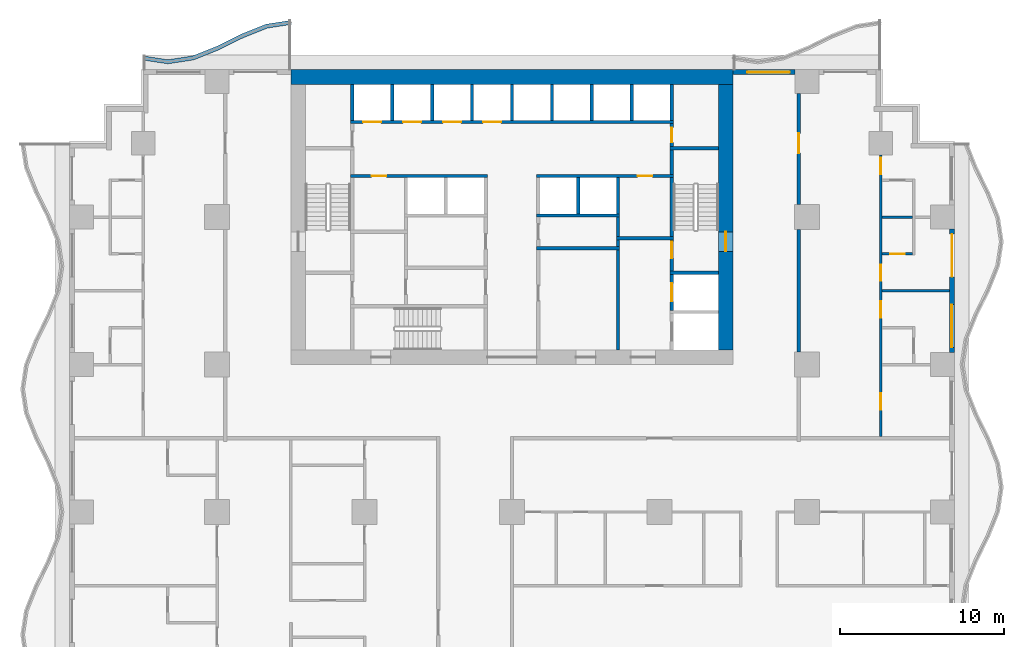
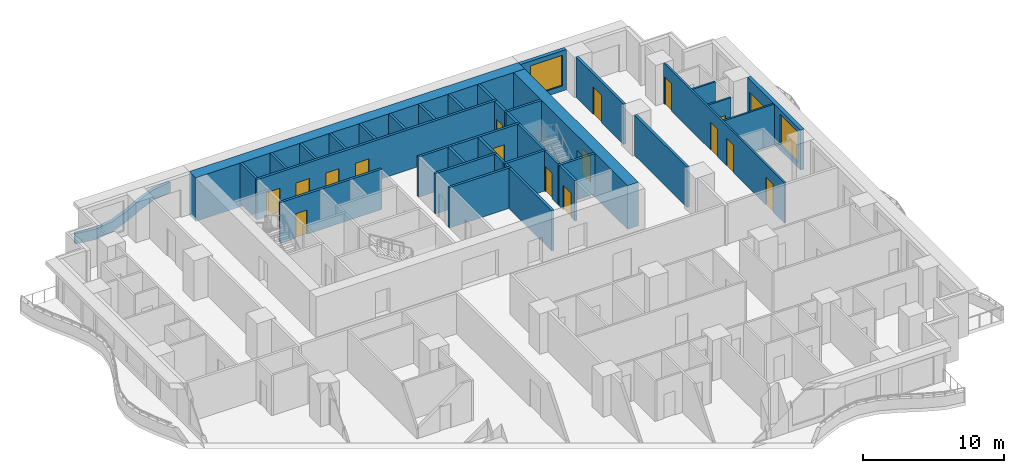
# One storey, part 6 of 14: 38 walls, 17 doors, 2 windows, 19 openings.
"""IFC4 building model written with IfcOpenShell, lengths in metres."""

from ifc_helpers import new_model, si_unit, direction, frame, frame_2d, origin, place, context, subcontext, project, spatial, polyline, rectangle, outline, extrude, material, layer, layer_set, type_object, element, fill, save


model = new_model("IFC4")

# Units and contexts
model_context = context("Model", 3, precision=1e-05, world=origin(), true_north=direction((0.0, 1.0)))
body_context = subcontext(model_context, "Body", "Model", "MODEL_VIEW")
ifc_project = project(units=[si_unit("LENGTHUNIT", "METRE"), si_unit("AREAUNIT", "SQUARE_METRE"), si_unit("VOLUMEUNIT", "CUBIC_METRE"), si_unit("PLANEANGLEUNIT", "RADIAN"), si_unit("MASSUNIT", "GRAM", prefix="KILO")], contexts=[model_context])

# Site, building, storey
site_placement = place(None, origin())
site = spatial("IfcSite", under=ifc_project, at=site_placement, CompositionType="ELEMENT")
building_placement = place(site_placement, origin())
building = spatial("IfcBuilding", under=site, at=building_placement, Name="Orbiselva Terraces", CompositionType="ELEMENT")
storey_placement = place(building_placement, frame((0.0, 0.0, 22.6)))
storey = spatial("IfcBuildingStorey", under=building, at=storey_placement, Name="L05", CompositionType="ELEMENT", Elevation=22.6)

# Wall, opening, door
ifc_material_1 = material(Name="Concrete C80/95", Category="concrete")
ifc_layer_1 = layer(ifc_material_1, 0.9)
ifc_layer_set_1 = layer_set([ifc_layer_1], Name="Concrete C80/95")
wall_type_1 = type_object("IfcWallType", Name="CORE WALL 900", PredefinedType="SHEAR", material=ifc_layer_set_1)
wall_1_placement = place(storey_placement, frame((13.05, 5.4, -0.3), z_axis=(0.0, 0.0, 1.0), x_axis=(0.0, 1.0, 0.0)))
wall_1 = element("IfcWall", 1, at=wall_1_placement, inside=storey, type_object=wall_type_1, Name="Core wall L05 east", PredefinedType="SHEAR", context=body_context, shape_type="SweptSolid", body=[
    extrude(rectangle(XDim=16.2, YDim=0.9, at=frame_2d((8.1, 0.0))), origin(), (0.0, 0.0, 1.0), 3.8),
])
opening_1_placement = place(wall_1_placement, frame((6.0, 0.0, 0.3)))
opening_1 = element("IfcOpeningElement", 2, at=opening_1_placement, cuts=wall_1, Name="Opening DS1200", PredefinedType="OPENING", context=body_context, shape_type="SweptSolid", body=[
    extrude(rectangle(XDim=1.2, YDim=2.2, at=frame_2d((0.6, 1.1))), frame((0.0, 0.46, 0.0), z_axis=(0.0, -1.0, 0.0), x_axis=(1.0, 0.0, 0.0)), (0.0, 0.0, 1.0), 0.92),
])
ifc_material_2 = material(Name="Steel fire door", Category="steel")
door_type_1 = type_object("IfcDoorType", Name="STAIR DOOR 1200", OperationType="NOTDEFINED", PredefinedType="DOOR", material=ifc_material_2)
door_1_placement = place(opening_1_placement, frame((1.2, 0.0, 0.0), z_axis=(0.0, 0.0, 1.0), x_axis=(-1.0, 0.0, 0.0)))
door_1 = element("IfcDoor", 3, at=door_1_placement, inside=storey, type_object=door_type_1, Name="L05 EXIT STAIR S2 door", OperationType="SINGLE_SWING_LEFT", OverallHeight=2.2, OverallWidth=1.2, PredefinedType="DOOR", context=body_context, shape_type="SweptSolid", body=[
    extrude(rectangle(XDim=1.2, YDim=2.2, at=frame_2d((0.6, 1.1))), frame((0.0, 0.025, 0.0), z_axis=(0.0, -1.0, 0.0), x_axis=(1.0, 0.0, 0.0)), (0.0, 0.0, 1.0), 0.05),
])
fill(opening_1, door_1)

# Walls
ifc_layer_2 = layer(ifc_material_1, 0.9)
ifc_layer_set_2 = layer_set([ifc_layer_2], Name="Concrete C80/95")
wall_type_2 = type_object("IfcWallType", Name="CORE WALL 900 EXTERNAL", PredefinedType="SHEAR", material=ifc_layer_set_2)
wall_2_placement = place(storey_placement, frame((13.5, 22.05, -0.3), z_axis=(0.0, 0.0, 1.0), x_axis=(-1.0, 0.0, 0.0)))
element("IfcWall", 4, at=wall_2_placement, inside=storey, type_object=wall_type_2, Name="Core wall L05 north", PredefinedType="SHEAR", context=body_context, shape_type="SweptSolid", body=[
    extrude(rectangle(XDim=27.0, YDim=0.9, at=frame_2d((13.5, 0.0))), origin(), (0.0, 0.0, 1.0), 3.8),
])
ifc_material_3 = material(Name="Masonry blockwork", Category="masonry")
ifc_layer_3 = layer(ifc_material_3, 0.2)
ifc_layer_set_3 = layer_set([ifc_layer_3], Name="Masonry blockwork")
wall_type_3 = type_object("IfcWallType", Name="CORE-WALL-PARTITION-200", PredefinedType="PARTITIONING", material=ifc_layer_set_3)
wall_3_placement = place(storey_placement, frame((6.475, 12.3, 0.0), z_axis=(0.0, 0.0, 1.0), x_axis=(0.0, 1.0, 0.0)))
element("IfcWall", 5, at=wall_3_placement, inside=storey, type_object=wall_type_3, Name="L05 core wall 41", PredefinedType="PARTITIONING", context=body_context, shape_type="SweptSolid", body=[
    extrude(rectangle(XDim=1.2, YDim=0.2, at=frame_2d((0.6, 0.0))), origin(), (0.0, 0.0, 1.0), 3.5),
])

# Wall, opening, door
wall_4_placement = place(storey_placement, frame((9.75, 19.2, 0.0), z_axis=(0.0, 0.0, 1.0), x_axis=(0.0, -1.0, 0.0)))
wall_4 = element("IfcWall", 6, at=wall_4_placement, inside=storey, type_object=wall_type_3, Name="L05 core wall 52", PredefinedType="PARTITIONING", context=body_context, shape_type="SweptSolid", body=[
    extrude(rectangle(XDim=1.4, YDim=0.2, at=frame_2d((0.7, 0.0))), origin(), (0.0, 0.0, 1.0), 3.5),
])
opening_2_placement = place(wall_4_placement, frame((0.25, 0.0, 0.0)))
opening_2 = element("IfcOpeningElement", 7, at=opening_2_placement, cuts=wall_4, Name="Opening DR900", PredefinedType="OPENING", context=body_context, shape_type="SweptSolid", body=[
    extrude(rectangle(XDim=0.9, YDim=2.1, at=frame_2d((0.45, 1.05))), frame((0.0, 0.11, 0.0), z_axis=(0.0, -1.0, 0.0), x_axis=(1.0, 0.0, 0.0)), (0.0, 0.0, 1.0), 0.22),
])
door_type_2 = type_object("IfcDoorType", Name="ROOM DOOR 900", OperationType="NOTDEFINED", PredefinedType="DOOR", material=ifc_material_2)
door_2_placement = place(opening_2_placement, origin())
door_2 = element("IfcDoor", 8, at=door_2_placement, inside=storey, type_object=door_type_2, Name="L05 COMMS RISER ROOM door", OperationType="SINGLE_SWING_RIGHT", OverallHeight=2.1, OverallWidth=0.9, PredefinedType="DOOR", context=body_context, shape_type="SweptSolid", body=[
    extrude(rectangle(XDim=0.9, YDim=2.1, at=frame_2d((0.45, 1.05))), frame((0.0, 0.025, 0.0), z_axis=(0.0, -1.0, 0.0), x_axis=(1.0, 0.0, 0.0)), (0.0, 0.0, 1.0), 0.05),
])
fill(opening_2, door_2)

# Walls
ifc_material_4 = material(Name="Concrete C40/50", Category="concrete")
ifc_layer_4 = layer(ifc_material_4, 0.2)
ifc_layer_set_4 = layer_set([ifc_layer_4], Name="Concrete C40/50")
wall_type_4 = type_object("IfcWallType", Name="CORE-WALL-SHAFT-200", PredefinedType="PARTITIONING", material=ifc_layer_set_4)
for number, where, z_axis, x_axis, name in (
    (9, (-9.75, 19.4, 0.0), (0.0, 0.0, 1.0), (0.0, 1.0, 0.0), "L05 core wall 13"),
    (10, (-7.3125, 19.4, 0.0), (0.0, 0.0, 1.0), (0.0, 1.0, 0.0), "L05 core wall 14"),
    (11, (-4.875, 19.4, 0.0), (0.0, 0.0, 1.0), (0.0, 1.0, 0.0), "L05 core wall 21"),
    (12, (-2.4375, 19.4, 0.0), (0.0, 0.0, 1.0), (0.0, 1.0, 0.0), "L05 core wall 23"),
    (13, (0.0, 19.4, 0.0), (0.0, 0.0, 1.0), (0.0, 1.0, 0.0), "L05 core wall 28"),
    (14, (2.4375, 19.4, 0.0), (0.0, 0.0, 1.0), (0.0, 1.0, 0.0), "L05 core wall 35"),
    (15, (4.0375, 13.7, 0.0), (0.0, 0.0, 1.0), (0.0, 1.0, 0.0), "L05 core wall 36"),
    (16, (4.875, 19.4, 0.0), (0.0, 0.0, 1.0), (0.0, 1.0, 0.0), "L05 core wall 37"),
    (17, (6.475, 13.7, 0.0), (0.0, 0.0, 1.0), (0.0, 1.0, 0.0), "L05 core wall 42"),
    (18, (7.3125, 19.4, 0.0), (0.0, 0.0, 1.0), (0.0, 1.0, 0.0), "L05 core wall 43"),
    (19, (9.75, 19.4, 0.0), (0.0, 0.0, 1.0), (0.0, 1.0, 0.0), "L05 core wall 53"),
):
    element("IfcWall", number, at=place(storey_placement, frame(where, z_axis=z_axis, x_axis=x_axis)), inside=storey, type_object=wall_type_4, Name=name, PredefinedType="PARTITIONING", context=body_context, shape_type="SweptSolid", body=[
        extrude(rectangle(XDim=2.2, YDim=0.2, at=frame_2d((1.1, 0.0))), origin(), (0.0, 0.0, 1.0), 3.5),
    ])

# Wall, opening, door
ifc_material_5 = material(Name="Concrete C60/75", Category="concrete")
ifc_layer_5 = layer(ifc_material_5, 0.2)
ifc_layer_set_5 = layer_set([ifc_layer_5], Name="Concrete C60/75")
wall_type_5 = type_object("IfcWallType", Name="CORE-WALL-SHEAR-200", PredefinedType="SHEAR", material=ifc_layer_set_5)
wall_5_placement = place(storey_placement, frame((-1.5, 16.0, 0.0), z_axis=(0.0, 0.0, 1.0), x_axis=(-1.0, 0.0, 0.0)))
wall_5 = element("IfcWall", 20, at=wall_5_placement, inside=storey, type_object=wall_type_5, Name="L05 core wall 09", PredefinedType="SHEAR", context=body_context, shape_type="SweptSolid", body=[
    extrude(rectangle(XDim=8.35, YDim=0.2, at=frame_2d((4.175, 0.0))), origin(), (0.0, 0.0, 1.0), 3.5),
])
opening_3_placement = place(wall_5_placement, frame((6.1625, 0.0, 0.0)))
opening_3 = element("IfcOpeningElement", 21, at=opening_3_placement, cuts=wall_5, Name="Opening DR900", PredefinedType="OPENING", context=body_context, shape_type="SweptSolid", body=[
    extrude(rectangle(XDim=0.9, YDim=2.1, at=frame_2d((0.45, 1.05))), frame((0.0, 0.11, 0.0), z_axis=(0.0, -1.0, 0.0), x_axis=(1.0, 0.0, 0.0)), (0.0, 0.0, 1.0), 0.22),
])
door_3_placement = place(opening_3_placement, origin())
door_3 = element("IfcDoor", 22, at=door_3_placement, inside=storey, type_object=door_type_2, Name="L05 IT ROOM door", OperationType="SINGLE_SWING_RIGHT", OverallHeight=2.1, OverallWidth=0.9, PredefinedType="DOOR", context=body_context, shape_type="SweptSolid", body=[
    extrude(rectangle(XDim=0.9, YDim=2.1, at=frame_2d((0.45, 1.05))), frame((0.0, 0.025, 0.0), z_axis=(0.0, -1.0, 0.0), x_axis=(1.0, 0.0, 0.0)), (0.0, 0.0, 1.0), 0.05),
])
fill(opening_3, door_3)

# Wall, openings, doors
wall_6_placement = place(storey_placement, frame((-9.85, 19.3, 0.0), z_axis=(0.0, 0.0, 1.0), x_axis=(1.0, 0.0, 0.0)))
wall_6 = element("IfcWall", 23, at=wall_6_placement, inside=storey, type_object=wall_type_5, Name="L05 core wall 12", PredefinedType="SHEAR", context=body_context, shape_type="SweptSolid", body=[
    extrude(rectangle(XDim=19.7, YDim=0.2, at=frame_2d((9.85, 0.0))), origin(), (0.0, 0.0, 1.0), 3.5),
])
opening_4_placement = place(wall_6_placement, frame((0.76875, 0.0, 0.0)))
opening_4 = element("IfcOpeningElement", 24, at=opening_4_placement, cuts=wall_6, Name="Opening LD-LR1", PredefinedType="OPENING", context=body_context, shape_type="SweptSolid", body=[
    extrude(rectangle(XDim=1.1, YDim=2.1, at=frame_2d((0.55, 1.05))), frame((0.0, 0.11, 0.0), z_axis=(0.0, -1.0, 0.0), x_axis=(1.0, 0.0, 0.0)), (0.0, 0.0, 1.0), 0.22),
])
opening_5_placement = place(wall_6_placement, frame((3.20625, 0.0, 0.0)))
opening_5 = element("IfcOpeningElement", 25, at=opening_5_placement, cuts=wall_6, Name="Opening LD-LR2", PredefinedType="OPENING", context=body_context, shape_type="SweptSolid", body=[
    extrude(rectangle(XDim=1.1, YDim=2.1, at=frame_2d((0.55, 1.05))), frame((0.0, 0.11, 0.0), z_axis=(0.0, -1.0, 0.0), x_axis=(1.0, 0.0, 0.0)), (0.0, 0.0, 1.0), 0.22),
])
opening_6_placement = place(wall_6_placement, frame((5.64375, 0.0, 0.0)))
opening_6 = element("IfcOpeningElement", 26, at=opening_6_placement, cuts=wall_6, Name="Opening LD-LR3", PredefinedType="OPENING", context=body_context, shape_type="SweptSolid", body=[
    extrude(rectangle(XDim=1.1, YDim=2.1, at=frame_2d((0.55, 1.05))), frame((0.0, 0.11, 0.0), z_axis=(0.0, -1.0, 0.0), x_axis=(1.0, 0.0, 0.0)), (0.0, 0.0, 1.0), 0.22),
])
opening_7_placement = place(wall_6_placement, frame((8.08125, 0.0, 0.0)))
opening_7 = element("IfcOpeningElement", 27, at=opening_7_placement, cuts=wall_6, Name="Opening LD-LR4", PredefinedType="OPENING", context=body_context, shape_type="SweptSolid", body=[
    extrude(rectangle(XDim=1.1, YDim=2.1, at=frame_2d((0.55, 1.05))), frame((0.0, 0.11, 0.0), z_axis=(0.0, -1.0, 0.0), x_axis=(1.0, 0.0, 0.0)), (0.0, 0.0, 1.0), 0.22),
])
ifc_material_6 = material(Name="Stainless steel landing door", Category="steel")
door_type_3 = type_object("IfcDoorType", Name="LANDING DOOR 1100", OperationType="SLIDING_TO_LEFT", PredefinedType="DOOR", material=ifc_material_6)
door_4_placement = place(opening_4_placement, origin())
door_4 = element("IfcDoor", 28, at=door_4_placement, inside=storey, type_object=door_type_3, Name="L05 landing door LR1", OperationType="SLIDING_TO_LEFT", OverallHeight=2.1, OverallWidth=1.1, PredefinedType="DOOR", context=body_context, shape_type="SweptSolid", body=[
    extrude(rectangle(XDim=1.1, YDim=2.1, at=frame_2d((0.55, 1.05))), frame((0.0, 0.025, 0.0), z_axis=(0.0, -1.0, 0.0), x_axis=(1.0, 0.0, 0.0)), (0.0, 0.0, 1.0), 0.05),
])
fill(opening_4, door_4)
door_5_placement = place(opening_5_placement, origin())
door_5 = element("IfcDoor", 29, at=door_5_placement, inside=storey, type_object=door_type_3, Name="L05 landing door LR2", OperationType="SLIDING_TO_LEFT", OverallHeight=2.1, OverallWidth=1.1, PredefinedType="DOOR", context=body_context, shape_type="SweptSolid", body=[
    extrude(rectangle(XDim=1.1, YDim=2.1, at=frame_2d((0.55, 1.05))), frame((0.0, 0.025, 0.0), z_axis=(0.0, -1.0, 0.0), x_axis=(1.0, 0.0, 0.0)), (0.0, 0.0, 1.0), 0.05),
])
fill(opening_5, door_5)
door_6_placement = place(opening_6_placement, origin())
door_6 = element("IfcDoor", 30, at=door_6_placement, inside=storey, type_object=door_type_3, Name="L05 landing door LR3", OperationType="SLIDING_TO_LEFT", OverallHeight=2.1, OverallWidth=1.1, PredefinedType="DOOR", context=body_context, shape_type="SweptSolid", body=[
    extrude(rectangle(XDim=1.1, YDim=2.1, at=frame_2d((0.55, 1.05))), frame((0.0, 0.025, 0.0), z_axis=(0.0, -1.0, 0.0), x_axis=(1.0, 0.0, 0.0)), (0.0, 0.0, 1.0), 0.05),
])
fill(opening_6, door_6)
door_7_placement = place(opening_7_placement, origin())
door_7 = element("IfcDoor", 31, at=door_7_placement, inside=storey, type_object=door_type_3, Name="L05 landing door LR4", OperationType="SLIDING_TO_LEFT", OverallHeight=2.1, OverallWidth=1.1, PredefinedType="DOOR", context=body_context, shape_type="SweptSolid", body=[
    extrude(rectangle(XDim=1.1, YDim=2.1, at=frame_2d((0.55, 1.05))), frame((0.0, 0.025, 0.0), z_axis=(0.0, -1.0, 0.0), x_axis=(1.0, 0.0, 0.0)), (0.0, 0.0, 1.0), 0.05),
])
fill(opening_7, door_7)

# Walls
for number, where, z_axis, x_axis, name in (
    (32, (1.5, 11.6, 0.0), (0.0, 0.0, 1.0), (1.0, 0.0, 0.0), "L05 core wall 30"),
    (33, (1.5, 13.6, 0.0), (0.0, 0.0, 1.0), (1.0, 0.0, 0.0), "L05 core wall 32"),
):
    element("IfcWall", number, at=place(storey_placement, frame(where, z_axis=z_axis, x_axis=x_axis)), inside=storey, type_object=wall_type_5, Name=name, PredefinedType="SHEAR", context=body_context, shape_type="SweptSolid", body=[
        extrude(rectangle(XDim=5.075, YDim=0.2, at=frame_2d((2.5375, 0.0))), origin(), (0.0, 0.0, 1.0), 3.5),
    ])

# Wall, opening, door
wall_7_placement = place(storey_placement, frame((9.85, 16.0, 0.0), z_axis=(0.0, 0.0, 1.0), x_axis=(-1.0, 0.0, 0.0)))
wall_7 = element("IfcWall", 34, at=wall_7_placement, inside=storey, type_object=wall_type_5, Name="L05 core wall 34", PredefinedType="SHEAR", context=body_context, shape_type="SweptSolid", body=[
    extrude(rectangle(XDim=8.35, YDim=0.2, at=frame_2d((4.175, 0.0))), origin(), (0.0, 0.0, 1.0), 3.5),
])
opening_8_placement = place(wall_7_placement, frame((1.2875, 0.0, 0.0)))
opening_8 = element("IfcOpeningElement", 35, at=opening_8_placement, cuts=wall_7, Name="Opening DR900", PredefinedType="OPENING", context=body_context, shape_type="SweptSolid", body=[
    extrude(rectangle(XDim=0.9, YDim=2.1, at=frame_2d((0.45, 1.05))), frame((0.0, 0.11, 0.0), z_axis=(0.0, -1.0, 0.0), x_axis=(1.0, 0.0, 0.0)), (0.0, 0.0, 1.0), 0.22),
])
door_8_placement = place(opening_8_placement, origin())
door_8 = element("IfcDoor", 36, at=door_8_placement, inside=storey, type_object=door_type_2, Name="L05 PIPE RISER ROOM door", OperationType="SINGLE_SWING_LEFT", OverallHeight=2.1, OverallWidth=0.9, PredefinedType="DOOR", context=body_context, shape_type="SweptSolid", body=[
    extrude(rectangle(XDim=0.9, YDim=2.1, at=frame_2d((0.45, 1.05))), frame((0.0, 0.025, 0.0), z_axis=(0.0, -1.0, 0.0), x_axis=(1.0, 0.0, 0.0)), (0.0, 0.0, 1.0), 0.05),
])
fill(opening_8, door_8)

# Walls
wall_8_placement = place(storey_placement, frame((6.475, 5.4, 0.0), z_axis=(0.0, 0.0, 1.0), x_axis=(0.0, 1.0, 0.0)))
element("IfcWall", 37, at=wall_8_placement, inside=storey, type_object=wall_type_5, Name="L05 core wall 38", PredefinedType="SHEAR", context=body_context, shape_type="SweptSolid", body=[
    extrude(rectangle(XDim=6.1, YDim=0.2, at=frame_2d((3.05, 0.0))), origin(), (0.0, 0.0, 1.0), 3.5),
])
wall_9_placement = place(storey_placement, frame((6.475, 11.7, 0.0), z_axis=(0.0, 0.0, 1.0), x_axis=(0.0, 1.0, 0.0)))
element("IfcWall", 38, at=wall_9_placement, inside=storey, type_object=wall_type_5, Name="L05 core wall 39", PredefinedType="SHEAR", context=body_context, shape_type="SweptSolid", body=[
    extrude(rectangle(XDim=0.4, YDim=0.2, at=frame_2d((0.2, 0.0))), origin(), (0.0, 0.0, 1.0), 3.5),
])
wall_10_placement = place(storey_placement, frame((6.375, 12.2, 0.0), z_axis=(0.0, 0.0, 1.0), x_axis=(1.0, 0.0, 0.0)))
element("IfcWall", 39, at=wall_10_placement, inside=storey, type_object=wall_type_5, Name="L05 core wall 40", PredefinedType="SHEAR", context=body_context, shape_type="SweptSolid", body=[
    extrude(rectangle(XDim=3.475, YDim=0.2, at=frame_2d((1.7375, 0.0))), origin(), (0.0, 0.0, 1.0), 3.5),
])

# Wall, opening, door
wall_11_placement = place(storey_placement, frame((9.75, 7.8, 0.0), z_axis=(0.0, 0.0, 1.0), x_axis=(0.0, 1.0, 0.0)))
wall_11 = element("IfcWall", 40, at=wall_11_placement, inside=storey, type_object=wall_type_5, Name="L05 core wall 46", PredefinedType="SHEAR", context=body_context, shape_type="SweptSolid", body=[
    extrude(rectangle(XDim=2.2, YDim=0.2, at=frame_2d((1.1, 0.0))), origin(), (0.0, 0.0, 1.0), 3.5),
])
opening_9_placement = place(wall_11_placement, frame((0.55, 0.0, 0.0)))
opening_9 = element("IfcOpeningElement", 41, at=opening_9_placement, cuts=wall_11, Name="Opening LD-FF2", PredefinedType="OPENING", context=body_context, shape_type="SweptSolid", body=[
    extrude(rectangle(XDim=1.1, YDim=2.1, at=frame_2d((0.55, 1.05))), frame((0.0, 0.11, 0.0), z_axis=(0.0, -1.0, 0.0), x_axis=(1.0, 0.0, 0.0)), (0.0, 0.0, 1.0), 0.22),
])
door_9_placement = place(opening_9_placement, origin())
door_9 = element("IfcDoor", 42, at=door_9_placement, inside=storey, type_object=door_type_3, Name="L05 landing door FF2", OperationType="SLIDING_TO_RIGHT", OverallHeight=2.1, OverallWidth=1.1, PredefinedType="DOOR", context=body_context, shape_type="SweptSolid", body=[
    extrude(rectangle(XDim=1.1, YDim=2.1, at=frame_2d((0.55, 1.05))), frame((0.0, 0.025, 0.0), z_axis=(0.0, -1.0, 0.0), x_axis=(1.0, 0.0, 0.0)), (0.0, 0.0, 1.0), 0.05),
])
fill(opening_9, door_9)

# Wall
wall_12_placement = place(storey_placement, frame((9.65, 10.1, 0.0), z_axis=(0.0, 0.0, 1.0), x_axis=(1.0, 0.0, 0.0)))
element("IfcWall", 43, at=wall_12_placement, inside=storey, type_object=wall_type_5, Name="L05 core wall 47", PredefinedType="SHEAR", context=body_context, shape_type="SweptSolid", body=[
    extrude(rectangle(XDim=2.95, YDim=0.2, at=frame_2d((1.475, 0.0))), origin(), (0.0, 0.0, 1.0), 3.5),
])

# Wall, opening, door
wall_13_placement = place(storey_placement, frame((9.75, 12.1, 0.0), z_axis=(0.0, 0.0, 1.0), x_axis=(0.0, -1.0, 0.0)))
wall_13 = element("IfcWall", 44, at=wall_13_placement, inside=storey, type_object=wall_type_5, Name="L05 core wall 48", PredefinedType="SHEAR", context=body_context, shape_type="SweptSolid", body=[
    extrude(rectangle(XDim=1.9, YDim=0.2, at=frame_2d((0.95, 0.0))), origin(), (0.0, 0.0, 1.0), 3.5),
])
opening_10_placement = place(wall_13_placement, frame((0.1, 0.0, 0.0)))
opening_10 = element("IfcOpeningElement", 45, at=opening_10_placement, cuts=wall_13, Name="Opening DS1000", PredefinedType="OPENING", context=body_context, shape_type="SweptSolid", body=[
    extrude(rectangle(XDim=1.0, YDim=2.2, at=frame_2d((0.5, 1.1))), frame((0.0, 0.11, 0.0), z_axis=(0.0, -1.0, 0.0), x_axis=(1.0, 0.0, 0.0)), (0.0, 0.0, 1.0), 0.22),
])
door_type_4 = type_object("IfcDoorType", Name="STAIR DOOR 1000", OperationType="NOTDEFINED", PredefinedType="DOOR", material=ifc_material_2)
door_10_placement = place(opening_10_placement, origin())
door_10 = element("IfcDoor", 46, at=door_10_placement, inside=storey, type_object=door_type_4, Name="L05 FIRE-FIGHTING LOBBY TO EXIT STAIR S2 door", OperationType="SINGLE_SWING_LEFT", OverallHeight=2.2, OverallWidth=1.0, PredefinedType="DOOR", context=body_context, shape_type="SweptSolid", body=[
    extrude(rectangle(XDim=1.0, YDim=2.2, at=frame_2d((0.5, 1.1))), frame((0.0, 0.025, 0.0), z_axis=(0.0, -1.0, 0.0), x_axis=(1.0, 0.0, 0.0)), (0.0, 0.0, 1.0), 0.05),
])
fill(opening_10, door_10)

# Walls
wall_14_placement = place(storey_placement, frame((9.75, 12.3, 0.0), z_axis=(0.0, 0.0, 1.0), x_axis=(0.0, 1.0, 0.0)))
element("IfcWall", 47, at=wall_14_placement, inside=storey, type_object=wall_type_5, Name="L05 core wall 49", PredefinedType="SHEAR", context=body_context, shape_type="SweptSolid", body=[
    extrude(rectangle(XDim=3.6, YDim=0.2, at=frame_2d((1.8, 0.0))), origin(), (0.0, 0.0, 1.0), 3.5),
])
wall_15_placement = place(storey_placement, frame((9.75, 16.1, 0.0), z_axis=(0.0, 0.0, 1.0), x_axis=(0.0, 1.0, 0.0)))
element("IfcWall", 48, at=wall_15_placement, inside=storey, type_object=wall_type_5, Name="L05 core wall 50", PredefinedType="SHEAR", context=body_context, shape_type="SweptSolid", body=[
    extrude(rectangle(XDim=1.5, YDim=0.2, at=frame_2d((0.75, 0.0))), origin(), (0.0, 0.0, 1.0), 3.5),
])
wall_16_placement = place(storey_placement, frame((9.65, 17.7, 0.0), z_axis=(0.0, 0.0, 1.0), x_axis=(1.0, 0.0, 0.0)))
element("IfcWall", 49, at=wall_16_placement, inside=storey, type_object=wall_type_5, Name="L05 core wall 51", PredefinedType="SHEAR", context=body_context, shape_type="SweptSolid", body=[
    extrude(rectangle(XDim=2.95, YDim=0.2, at=frame_2d((1.475, 0.0))), origin(), (0.0, 0.0, 1.0), 3.5),
])
ifc_layer_6 = layer(ifc_material_4, 0.25)
ifc_layer_set_6 = layer_set([ifc_layer_6], Name="Concrete C40/50")
wall_type_6 = type_object("IfcWallType", Name="ENV-PLANTER-250x900", PredefinedType="USERDEFINED", material=ifc_layer_set_6)
wall_17_placement = place(storey_placement, origin())
element("IfcWall", 50, at=wall_17_placement, inside=storey, type_object=wall_type_6, Name="Balcony planter L05 NW", ObjectType="PLANTER", PredefinedType="USERDEFINED", context=body_context, shape_type="SweptSolid", body=[
    extrude(outline(polyline([(-13.5, 25.5), (-15.0, 25.27082), (-16.5, 24.67082), (-18.0, 23.92918), (-19.5, 23.32918), (-21.0, 23.1), (-22.5, 23.32918), (-22.537758, 23.082048), (-21.0, 22.847099), (-19.433834, 23.086388), (-17.898017, 23.700715), (-16.398017, 24.442355), (-14.933834, 25.028028), (-13.462242, 25.252868), (-13.5, 25.5)])), origin(), (0.0, 0.0, 1.0), 0.9),
])

# Wall, openings, door, window
ifc_material_7 = material(Name="Terracotta cladding on masonry backing", Category="masonry")
ifc_layer_7 = layer(ifc_material_7, 0.3)
ifc_layer_set_7 = layer_set([ifc_layer_7], Name="Terracotta cladding on masonry backing")
wall_type_7 = type_object("IfcWallType", Name="ENV-WALL-TERRACOTTA-300", PredefinedType="SOLIDWALL", material=ifc_layer_set_7)
wall_18_placement = place(storey_placement, frame((26.85, 12.775, 0.0), z_axis=(0.0, 0.0, 1.0), x_axis=(0.0, -1.0, 0.0)))
wall_18 = element("IfcWall", 51, at=wall_18_placement, inside=storey, type_object=wall_type_7, Name="Facade wall L05 E", PredefinedType="SOLIDWALL", context=body_context, shape_type="SweptSolid", body=[
    extrude(rectangle(XDim=7.55, YDim=0.3, at=frame_2d((3.775, 0.0))), origin(), (0.0, 0.0, 1.0), 3.5),
])
opening_11_placement = place(wall_18_placement, frame((4.625, 0.0, 0.45)))
opening_11 = element("IfcOpeningElement", 52, at=opening_11_placement, cuts=wall_18, Name="Opening WN1", PredefinedType="OPENING", context=body_context, shape_type="SweptSolid", body=[
    extrude(rectangle(XDim=2.6, YDim=2.65, at=frame_2d((1.3, 1.325))), frame((0.0, 0.16, 0.0), z_axis=(0.0, -1.0, 0.0), x_axis=(1.0, 0.0, 0.0)), (0.0, 0.0, 1.0), 0.32),
])
opening_12_placement = place(wall_18_placement, frame((0.325, 0.0, 0.0)))
opening_12 = element("IfcOpeningElement", 53, at=opening_12_placement, cuts=wall_18, Name="Opening Z1-A-E15", PredefinedType="OPENING", context=body_context, shape_type="SweptSolid", body=[
    extrude(rectangle(XDim=2.6, YDim=2.4, at=frame_2d((1.3, 1.2))), frame((0.0, 0.16, 0.0), z_axis=(0.0, -1.0, 0.0), x_axis=(1.0, 0.0, 0.0)), (0.0, 0.0, 1.0), 0.32),
])
ifc_material_8 = material(Name="Clear low-e glazing in aluminium frame", Category="aluminium")
door_type_5 = type_object("IfcDoorType", Name="BALCONY DOOR 2600 X 2400", OperationType="DOUBLE_DOOR_SLIDING", PredefinedType="DOOR", material=ifc_material_8)
door_11_placement = place(opening_12_placement, origin())
door_11 = element("IfcDoor", 54, at=door_11_placement, inside=storey, type_object=door_type_5, Name="Z1-A-E15", OperationType="SINGLE_SWING_LEFT", OverallHeight=2.4, OverallWidth=2.6, PredefinedType="DOOR", context=body_context, shape_type="SweptSolid", body=[
    extrude(rectangle(XDim=2.6, YDim=2.4, at=frame_2d((1.3, 1.2))), frame((0.0, 0.025, 0.0), z_axis=(0.0, -1.0, 0.0), x_axis=(1.0, 0.0, 0.0)), (0.0, 0.0, 1.0), 0.05),
])
fill(opening_12, door_11)
window_type = type_object("IfcWindowType", Name="WINDOW 2600 X 2650 S450", PartitioningType="TRIPLE_PANEL_VERTICAL", PredefinedType="WINDOW", material=ifc_material_8)
window_1_placement = place(opening_11_placement, origin())
window_1 = element("IfcWindow", 55, at=window_1_placement, inside=storey, type_object=window_type, Name="Window L05 E", OverallHeight=2.65, OverallWidth=2.6, PartitioningType="SINGLE_PANEL", PredefinedType="WINDOW", context=body_context, shape_type="SweptSolid", body=[
    extrude(rectangle(XDim=2.6, YDim=2.65, at=frame_2d((1.3, 1.325))), frame((0.0, 0.03, 0.0), z_axis=(0.0, -1.0, 0.0), x_axis=(1.0, 0.0, 0.0)), (0.0, 0.0, 1.0), 0.06),
])
fill(opening_11, window_1)

# Wall, opening, window
wall_19_placement = place(storey_placement, frame((13.5, 22.35, 0.0), z_axis=(0.0, 0.0, 1.0), x_axis=(1.0, 0.0, 0.0)))
wall_19 = element("IfcWall", 56, at=wall_19_placement, inside=storey, type_object=wall_type_7, Name="Facade wall L05 NE", PredefinedType="SOLIDWALL", context=body_context, shape_type="SweptSolid", body=[
    extrude(rectangle(XDim=3.775, YDim=0.3, at=frame_2d((1.8875, 0.0))), origin(), (0.0, 0.0, 1.0), 3.5),
])
opening_13_placement = place(wall_19_placement, frame((0.85, 0.0, 0.45)))
opening_13 = element("IfcOpeningElement", 57, at=opening_13_placement, cuts=wall_19, Name="Opening WN1", PredefinedType="OPENING", context=body_context, shape_type="SweptSolid", body=[
    extrude(rectangle(XDim=2.6, YDim=2.65, at=frame_2d((1.3, 1.325))), frame((0.0, 0.16, 0.0), z_axis=(0.0, -1.0, 0.0), x_axis=(1.0, 0.0, 0.0)), (0.0, 0.0, 1.0), 0.32),
])
window_2_placement = place(opening_13_placement, origin())
window_2 = element("IfcWindow", 58, at=window_2_placement, inside=storey, type_object=window_type, Name="Window L05 NE", OverallHeight=2.65, OverallWidth=2.6, PartitioningType="SINGLE_PANEL", PredefinedType="WINDOW", context=body_context, shape_type="SweptSolid", body=[
    extrude(rectangle(XDim=2.6, YDim=2.65, at=frame_2d((1.3, 1.325))), frame((0.0, 0.03, 0.0), z_axis=(0.0, -1.0, 0.0), x_axis=(1.0, 0.0, 0.0)), (0.0, 0.0, 1.0), 0.06),
])
fill(opening_13, window_2)

# Wall
ifc_material_9 = material(Name="Plasterboard on steel stud partition", Category="steel")
ifc_layer_8 = layer(ifc_material_9, 0.2)
ifc_layer_set_8 = layer_set([ifc_layer_8], Name="Plasterboard on steel stud partition")
wall_type_8 = type_object("IfcWallType", Name="UNIT-ENTRANCE-WALL-200", PredefinedType="PARTITIONING", material=ifc_layer_set_8)
wall_20_placement = place(storey_placement, frame((17.5, 5.275, 0.0), z_axis=(0.0, 0.0, 1.0), x_axis=(0.0, 1.0, 0.0)))
element("IfcWall", 59, at=wall_20_placement, inside=storey, type_object=wall_type_8, Name="PARTITION L05-083", PredefinedType="PARTITIONING", context=body_context, shape_type="SweptSolid", body=[
    extrude(rectangle(XDim=7.45, YDim=0.2, at=frame_2d((3.725, 0.0))), origin(), (0.0, 0.0, 1.0), 3.5),
])

# Wall, opening, door
wall_21_placement = place(storey_placement, frame((17.5, 21.05, 0.0), z_axis=(0.0, 0.0, 1.0), x_axis=(0.0, -1.0, 0.0)))
wall_21 = element("IfcWall", 60, at=wall_21_placement, inside=storey, type_object=wall_type_8, Name="PARTITION L05-084", PredefinedType="PARTITIONING", context=body_context, shape_type="SweptSolid", body=[
    extrude(rectangle(XDim=6.775, YDim=0.2, at=frame_2d((3.3875, 0.0))), origin(), (0.0, 0.0, 1.0), 3.5),
])
opening_14_placement = place(wall_21_placement, frame((2.45, 0.0, 0.0)))
opening_14 = element("IfcOpeningElement", 61, at=opening_14_placement, cuts=wall_21, Name="Opening Z1-A-09", PredefinedType="OPENING", context=body_context, shape_type="SweptSolid", body=[
    extrude(rectangle(XDim=1.2, YDim=2.4, at=frame_2d((0.6, 1.2))), frame((0.0, 0.11, 0.0), z_axis=(0.0, -1.0, 0.0), x_axis=(1.0, 0.0, 0.0)), (0.0, 0.0, 1.0), 0.22),
])
ifc_material_10 = material(Name="Painted timber door leaf", Category="wood")
door_type_6 = type_object("IfcDoorType", Name="ENTRANCE DOOR 1200", OperationType="NOTDEFINED", PredefinedType="DOOR", material=ifc_material_10)
door_12_placement = place(opening_14_placement, origin())
door_12 = element("IfcDoor", 62, at=door_12_placement, inside=storey, type_object=door_type_6, Name="Z1-A-09", OperationType="SINGLE_SWING_LEFT", OverallHeight=2.4, OverallWidth=1.2, PredefinedType="DOOR", context=body_context, shape_type="SweptSolid", body=[
    extrude(rectangle(XDim=1.2, YDim=2.4, at=frame_2d((0.6, 1.2))), frame((0.0, 0.025, 0.0), z_axis=(0.0, -1.0, 0.0), x_axis=(1.0, 0.0, 0.0)), (0.0, 0.0, 1.0), 0.05),
])
fill(opening_14, door_12)

# Wall
ifc_layer_9 = layer(ifc_material_9, 0.15)
ifc_layer_set_9 = layer_set([ifc_layer_9], Name="Plasterboard on steel stud partition")
wall_type_9 = type_object("IfcWallType", Name="UNIT-PARTITION-150", PredefinedType="PARTITIONING", material=ifc_layer_set_9)
wall_22_placement = place(storey_placement, frame((22.575, 9.0, 0.0), z_axis=(0.0, 0.0, 1.0), x_axis=(1.0, 0.0, 0.0)))
element("IfcWall", 63, at=wall_22_placement, inside=storey, type_object=wall_type_9, Name="PARTITION L05-038", PredefinedType="PARTITIONING", context=body_context, shape_type="SweptSolid", body=[
    extrude(rectangle(XDim=4.125, YDim=0.15, at=frame_2d((2.0625, 0.0))), origin(), (0.0, 0.0, 1.0), 3.5),
])

# Wall, opening, door
wall_23_placement = place(storey_placement, frame((22.575, 11.25, 0.0), z_axis=(0.0, 0.0, 1.0), x_axis=(1.0, 0.0, 0.0)))
wall_23 = element("IfcWall", 64, at=wall_23_placement, inside=storey, type_object=wall_type_9, Name="PARTITION L05-040", PredefinedType="PARTITIONING", context=body_context, shape_type="SweptSolid", body=[
    extrude(rectangle(XDim=1.875, YDim=0.15, at=frame_2d((0.9375, 0.0))), origin(), (0.0, 0.0, 1.0), 3.5),
])
opening_15_placement = place(wall_23_placement, frame((0.5, 0.0, 0.0)))
opening_15 = element("IfcOpeningElement", 65, at=opening_15_placement, cuts=wall_23, Name="Opening Z1-A-14", PredefinedType="OPENING", context=body_context, shape_type="SweptSolid", body=[
    extrude(rectangle(XDim=0.9, YDim=2.1, at=frame_2d((0.45, 1.05))), frame((0.0, 0.085, 0.0), z_axis=(0.0, -1.0, 0.0), x_axis=(1.0, 0.0, 0.0)), (0.0, 0.0, 1.0), 0.17),
])
door_type_7 = type_object("IfcDoorType", Name="BATH DOOR 900", OperationType="NOTDEFINED", PredefinedType="DOOR", material=ifc_material_10)
door_13_placement = place(opening_15_placement, origin())
door_13 = element("IfcDoor", 66, at=door_13_placement, inside=storey, type_object=door_type_7, Name="Z1-A-14", OperationType="SINGLE_SWING_RIGHT", OverallHeight=2.1, OverallWidth=0.9, PredefinedType="DOOR", context=body_context, shape_type="SweptSolid", body=[
    extrude(rectangle(XDim=0.9, YDim=2.1, at=frame_2d((0.45, 1.05))), frame((0.0, 0.025, 0.0), z_axis=(0.0, -1.0, 0.0), x_axis=(1.0, 0.0, 0.0)), (0.0, 0.0, 1.0), 0.05),
])
fill(opening_15, door_13)

# Wall
wall_24_placement = place(storey_placement, frame((22.575, 13.5, 0.0), z_axis=(0.0, 0.0, 1.0), x_axis=(1.0, 0.0, 0.0)))
element("IfcWall", 67, at=wall_24_placement, inside=storey, type_object=wall_type_9, Name="PARTITION L05-043", PredefinedType="PARTITIONING", context=body_context, shape_type="SweptSolid", body=[
    extrude(rectangle(XDim=1.875, YDim=0.15, at=frame_2d((0.9375, 0.0))), origin(), (0.0, 0.0, 1.0), 3.5),
])

# Wall, openings, doors
wall_25_placement = place(storey_placement, frame((22.5, 17.275, 0.0), z_axis=(0.0, 0.0, 1.0), x_axis=(0.0, -1.0, 0.0)))
wall_25 = element("IfcWall", 68, at=wall_25_placement, inside=storey, type_object=wall_type_9, Name="PARTITION L05-088", PredefinedType="PARTITIONING", context=body_context, shape_type="SweptSolid", body=[
    extrude(rectangle(XDim=17.175, YDim=0.15, at=frame_2d((8.5875, 0.0))), origin(), (0.0, 0.0, 1.0), 3.5),
])
opening_16_placement = place(wall_25_placement, frame((14.525, 0.0, 0.0)))
opening_16 = element("IfcOpeningElement", 69, at=opening_16_placement, cuts=wall_25, Name="Opening Z1-A-10", PredefinedType="OPENING", context=body_context, shape_type="SweptSolid", body=[
    extrude(rectangle(XDim=1.0, YDim=2.4, at=frame_2d((0.5, 1.2))), frame((0.0, 0.085, 0.0), z_axis=(0.0, -1.0, 0.0), x_axis=(1.0, 0.0, 0.0)), (0.0, 0.0, 1.0), 0.17),
])
opening_17_placement = place(wall_25_placement, frame((8.925, 0.0, 0.0)))
opening_17 = element("IfcOpeningElement", 70, at=opening_17_placement, cuts=wall_25, Name="Opening Z1-A-11", PredefinedType="OPENING", context=body_context, shape_type="SweptSolid", body=[
    extrude(rectangle(XDim=1.0, YDim=2.4, at=frame_2d((0.5, 1.2))), frame((0.0, 0.085, 0.0), z_axis=(0.0, -1.0, 0.0), x_axis=(1.0, 0.0, 0.0)), (0.0, 0.0, 1.0), 0.17),
])
opening_18_placement = place(wall_25_placement, frame((6.675, 0.0, 0.0)))
opening_18 = element("IfcOpeningElement", 71, at=opening_18_placement, cuts=wall_25, Name="Opening Z1-A-13", PredefinedType="OPENING", context=body_context, shape_type="SweptSolid", body=[
    extrude(rectangle(XDim=1.0, YDim=2.4, at=frame_2d((0.5, 1.2))), frame((0.0, 0.085, 0.0), z_axis=(0.0, -1.0, 0.0), x_axis=(1.0, 0.0, 0.0)), (0.0, 0.0, 1.0), 0.17),
])
opening_19_placement = place(wall_25_placement, frame((0.15, 0.0, 0.0)))
opening_19 = element("IfcOpeningElement", 72, at=opening_19_placement, cuts=wall_25, Name="Opening Z1-A-15", PredefinedType="OPENING", context=body_context, shape_type="SweptSolid", body=[
    extrude(rectangle(XDim=1.0, YDim=2.4, at=frame_2d((0.5, 1.2))), frame((0.0, 0.085, 0.0), z_axis=(0.0, -1.0, 0.0), x_axis=(1.0, 0.0, 0.0)), (0.0, 0.0, 1.0), 0.17),
])
door_type_8 = type_object("IfcDoorType", Name="ROOM DOOR 1000", OperationType="NOTDEFINED", PredefinedType="DOOR", material=ifc_material_10)
door_14_placement = place(opening_16_placement, origin())
door_14 = element("IfcDoor", 73, at=door_14_placement, inside=storey, type_object=door_type_8, Name="Z1-A-10", OperationType="SINGLE_SWING_RIGHT", OverallHeight=2.4, OverallWidth=1.0, PredefinedType="DOOR", context=body_context, shape_type="SweptSolid", body=[
    extrude(rectangle(XDim=1.0, YDim=2.4, at=frame_2d((0.5, 1.2))), frame((0.0, 0.025, 0.0), z_axis=(0.0, -1.0, 0.0), x_axis=(1.0, 0.0, 0.0)), (0.0, 0.0, 1.0), 0.05),
])
fill(opening_16, door_14)
door_15_placement = place(opening_17_placement, origin())
door_15 = element("IfcDoor", 74, at=door_15_placement, inside=storey, type_object=door_type_8, Name="Z1-A-11", OperationType="SINGLE_SWING_RIGHT", OverallHeight=2.4, OverallWidth=1.0, PredefinedType="DOOR", context=body_context, shape_type="SweptSolid", body=[
    extrude(rectangle(XDim=1.0, YDim=2.4, at=frame_2d((0.5, 1.2))), frame((0.0, 0.025, 0.0), z_axis=(0.0, -1.0, 0.0), x_axis=(1.0, 0.0, 0.0)), (0.0, 0.0, 1.0), 0.05),
])
fill(opening_17, door_15)
door_16_placement = place(opening_18_placement, origin())
door_16 = element("IfcDoor", 75, at=door_16_placement, inside=storey, type_object=door_type_8, Name="Z1-A-13", OperationType="SINGLE_SWING_LEFT", OverallHeight=2.4, OverallWidth=1.0, PredefinedType="DOOR", context=body_context, shape_type="SweptSolid", body=[
    extrude(rectangle(XDim=1.0, YDim=2.4, at=frame_2d((0.5, 1.2))), frame((0.0, 0.025, 0.0), z_axis=(0.0, -1.0, 0.0), x_axis=(1.0, 0.0, 0.0)), (0.0, 0.0, 1.0), 0.05),
])
fill(opening_18, door_16)
door_17_placement = place(opening_19_placement, origin())
door_17 = element("IfcDoor", 76, at=door_17_placement, inside=storey, type_object=door_type_8, Name="Z1-A-15", OperationType="SINGLE_SWING_LEFT", OverallHeight=2.4, OverallWidth=1.0, PredefinedType="DOOR", context=body_context, shape_type="SweptSolid", body=[
    extrude(rectangle(XDim=1.0, YDim=2.4, at=frame_2d((0.5, 1.2))), frame((0.0, 0.025, 0.0), z_axis=(0.0, -1.0, 0.0), x_axis=(1.0, 0.0, 0.0)), (0.0, 0.0, 1.0), 0.05),
])
fill(opening_19, door_17)

save(model, "model.ifc")
